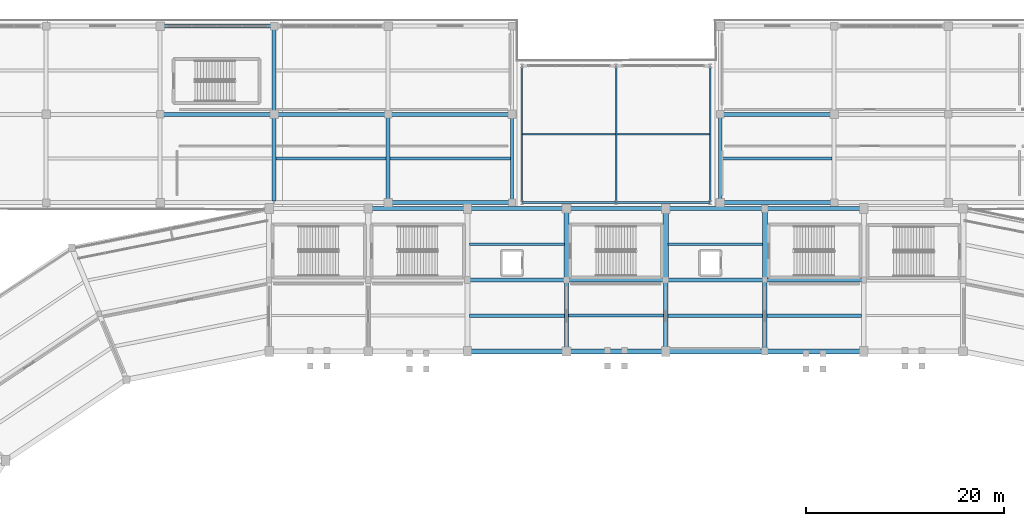
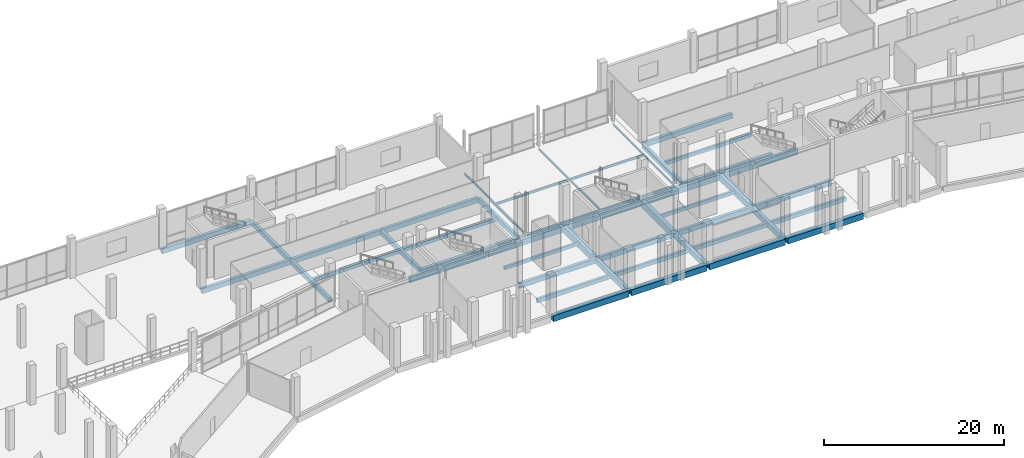
# One storey, part 52 of 114: 47 beams.
"""IFC4 building model written with IfcOpenShell, lengths in metres."""

from ifc_helpers import new_model, si_unit, direction, frame, origin, origin_2d, place, context, subcontext, project, spatial, rectangle, i_section, extrude, material, material_profile, profile_set, type_object, element, save


model = new_model("IFC4")

# Units and contexts
model_context = context("Model", 3, precision=1e-05, world=origin(), true_north=direction((0.0, 1.0)))
body_context = subcontext(model_context, "Body", "Model", "MODEL_VIEW")
ifc_project = project(units=[si_unit("LENGTHUNIT", "METRE"), si_unit("AREAUNIT", "SQUARE_METRE"), si_unit("VOLUMEUNIT", "CUBIC_METRE"), si_unit("PLANEANGLEUNIT", "RADIAN"), si_unit("MASSUNIT", "GRAM", prefix="KILO")], contexts=[model_context])

# Site, building, storey
site_placement = place(None, origin())
site = spatial("IfcSite", under=ifc_project, at=site_placement, CompositionType="ELEMENT")
building_placement = place(site_placement, origin())
building = spatial("IfcBuilding", under=site, at=building_placement, Name="Candeia Ridge Stadium", CompositionType="ELEMENT")
storey_placement = place(building_placement, frame((0.0, 0.0, 5.39990234375)))
storey = spatial("IfcBuildingStorey", under=building, at=storey_placement, Name="L01", CompositionType="ELEMENT", Elevation=5.39990234375)

# Beams
ifc_material_1 = material(Name="Concrete C45/55", Category="concrete")
ifc_material_profile_1 = material_profile(ifc_material_1, rectangle(XDim=0.449951171875, YDim=0.75, at=origin_2d()), Name="RC450x750", Category="concrete")
ifc_profile_set_1 = profile_set([ifc_material_profile_1], Name="Concrete C45/55")
beam_type_1 = type_object("IfcBeamType", Name="Bowl Radial Girder RC450x750", PredefinedType="BEAM", material=ifc_profile_set_1)
beam_1_placement = place(storey_placement, frame((121.0, 132.760009765625, -0.635009765625), z_axis=(0.0, 1.0, 0.0), x_axis=(-1.0, 0.0, 0.0)))
element("IfcBeam", 1, at=beam_1_placement, inside=storey, type_object=beam_type_1, Name="Bowl radial girder BM-L01-0005", PredefinedType="BEAM", context=body_context, shape_type="SweptSolid", body=[
    extrude(rectangle(XDim=0.449951171875, YDim=0.75, at=origin_2d()), origin(), (0.0, 0.0, 1.0), 6.8798828125),
])
ifc_material_2 = material(Name="Steel ASTM A572 Grade 50", Category="steel")
ifc_material_profile_2 = material_profile(ifc_material_2, i_section(OverallWidth=0.14794921875, OverallDepth=0.26611328125, WebThickness=0.007568359375, FlangeThickness=0.012939453125, FilletRadius=0.010986328125, at=origin_2d()), Name="W250x44.8", Category="steel")
ifc_profile_set_2 = profile_set([ifc_material_profile_2], Name="Steel ASTM A572 Grade 50")
beam_type_2 = type_object("IfcBeamType", Name="Canopy Edge Spandrel W250x44.8", PredefinedType="SPANDREL", material=ifc_profile_set_2)
for number, where, z_axis, x_axis, name in (
    (2, (96.5, 147.64990234375, -0.392822265625), (0.0, 1.0, 0.0), (-1.0, 0.0, 0.0), "Structural girder BM-L01-2035"),
    (3, (106.0, 147.64990234375, -0.392822265625), (0.0, 1.0, 0.0), (-1.0, 0.0, 0.0), "Structural girder BM-L01-2036"),
    (4, (115.5, 147.64990234375, -0.392822265625), (0.0, 1.0, 0.0), (-1.0, 0.0, 0.0), "Structural girder BM-L01-2037"),
):
    element("IfcBeam", number, at=place(storey_placement, frame(where, z_axis=z_axis, x_axis=x_axis)), inside=storey, type_object=beam_type_2, Name=name, PredefinedType="SPANDREL", context=body_context, shape_type="SweptSolid", body=[
        extrude(i_section(OverallWidth=0.14794921875, OverallDepth=0.26611328125, WebThickness=0.007568359375, FlangeThickness=0.012939453125, FilletRadius=0.010986328125, at=origin_2d()), origin(), (0.0, 0.0, 1.0), 13.7001953125),
    ])
ifc_material_3 = material(Name="Concrete C40/50", Category="concrete")
ifc_material_profile_3 = material_profile(ifc_material_3, rectangle(XDim=0.35009765625, YDim=0.550048828125, at=origin_2d()), Name="RC350x550", Category="concrete")
ifc_profile_set_3 = profile_set([ifc_material_profile_3], Name="Concrete C40/50")
beam_type_3 = type_object("IfcBeamType", Name="Concourse Concrete Joist RC350x550", PredefinedType="JOIST", material=ifc_profile_set_3)
beam_2_placement = place(storey_placement, frame((130.778076171875, 136.199951171875, -0.534912109375), z_axis=(-1.0, 0.0, 0.0), x_axis=(0.0, -1.0, 0.0)))
element("IfcBeam", 5, at=beam_2_placement, inside=storey, type_object=beam_type_3, Name="Concourse secondary joist BM-L01-0080", PredefinedType="JOIST", context=body_context, shape_type="SweptSolid", body=[
    extrude(rectangle(XDim=0.35009765625, YDim=0.550048828125, at=origin_2d()), origin(), (0.0, 0.0, 1.0), 9.55615234375),
])
ifc_material_profile_4 = material_profile(ifc_material_3, rectangle(XDim=0.27001953125, YDim=0.43994140625, at=origin_2d()), Name="RC270x440", Category="concrete")
ifc_profile_set_4 = profile_set([ifc_material_profile_4], Name="Concrete C40/50")
beam_type_4 = type_object("IfcBeamType", Name="Floor Joist RC270x440", PredefinedType="JOIST", material=ifc_profile_set_4)
beam_3_placement = place(storey_placement, frame((100.778076171875, 143.39990234375, -0.47998046875), z_axis=(-1.0, 0.0, 0.0), x_axis=(0.0, -1.0, 0.0)))
element("IfcBeam", 6, at=beam_3_placement, inside=storey, type_object=beam_type_4, Name="Concourse secondary joist BM-L01-0094", PredefinedType="JOIST", context=body_context, shape_type="SweptSolid", body=[
    extrude(rectangle(XDim=0.27001953125, YDim=0.43994140625, at=origin_2d()), origin(), (0.0, 0.0, 1.0), 9.55615234375),
])
ifc_material_profile_5 = material_profile(ifc_material_3, rectangle(XDim=0.280029296875, YDim=0.4599609375, at=origin_2d()), Name="RC280x460", Category="concrete")
ifc_profile_set_5 = profile_set([ifc_material_profile_5], Name="Concrete C40/50")
beam_type_5 = type_object("IfcBeamType", Name="Floor Joist RC280x460", PredefinedType="JOIST", material=ifc_profile_set_5)
beam_4_placement = place(storey_placement, frame((120.778076171875, 143.39990234375, -0.489990234375), z_axis=(-1.0, 0.0, 0.0), x_axis=(0.0, -1.0, 0.0)))
element("IfcBeam", 7, at=beam_4_placement, inside=storey, type_object=beam_type_5, Name="Concourse secondary joist BM-L01-0085", PredefinedType="JOIST", context=body_context, shape_type="SweptSolid", body=[
    extrude(rectangle(XDim=0.280029296875, YDim=0.4599609375, at=origin_2d()), origin(), (0.0, 0.0, 1.0), 9.55615234375),
])
ifc_material_profile_6 = material_profile(ifc_material_3, rectangle(XDim=0.300048828125, YDim=0.449951171875, at=origin_2d()), Name="RC300x450", Category="concrete")
ifc_profile_set_6 = profile_set([ifc_material_profile_6], Name="Concrete C40/50")
beam_type_6 = type_object("IfcBeamType", Name="Floor Joist RC300x450", PredefinedType="JOIST", material=ifc_profile_set_6)
beam_5_placement = place(storey_placement, frame((71.699462890625, 152.050048828125, -0.48486328125), z_axis=(1.0, 0.0, 0.0), x_axis=(0.0, 1.0, 0.0)))
element("IfcBeam", 8, at=beam_5_placement, inside=storey, type_object=beam_type_6, Name="Wing secondary joist BM-L01-1561", PredefinedType="JOIST", context=body_context, shape_type="SweptSolid", body=[
    extrude(rectangle(XDim=0.300048828125, YDim=0.449951171875, at=origin_2d()), origin(), (0.0, 0.0, 1.0), 11.10107421875),
])
beam_6_placement = place(storey_placement, frame((83.199462890625, 152.050048828125, -0.48486328125), z_axis=(1.0, 0.0, 0.0), x_axis=(0.0, 1.0, 0.0)))
element("IfcBeam", 9, at=beam_6_placement, inside=storey, type_object=beam_type_6, Name="Wing secondary joist BM-L01-1566", PredefinedType="JOIST", context=body_context, shape_type="SweptSolid", body=[
    extrude(rectangle(XDim=0.300048828125, YDim=0.449951171875, at=origin_2d()), origin(), (0.0, 0.0, 1.0), 12.1259765625),
])
beam_7_placement = place(storey_placement, frame((116.674560546875, 152.050048828125, -0.48486328125), z_axis=(1.0, 0.0, 0.0), x_axis=(0.0, 1.0, 0.0)))
element("IfcBeam", 10, at=beam_7_placement, inside=storey, type_object=beam_type_6, Name="Wing secondary joist BM-L01-1585", PredefinedType="JOIST", context=body_context, shape_type="SweptSolid", body=[
    extrude(rectangle(XDim=0.300048828125, YDim=0.449951171875, at=origin_2d()), origin(), (0.0, 0.0, 1.0), 11.1259765625),
])
ifc_material_profile_7 = material_profile(ifc_material_3, rectangle(XDim=0.320068359375, YDim=0.52001953125, at=origin_2d()), Name="RC320x520", Category="concrete")
ifc_profile_set_7 = profile_set([ifc_material_profile_7], Name="Concrete C40/50")
beam_type_7 = type_object("IfcBeamType", Name="Floor Joist RC320x520", PredefinedType="JOIST", material=ifc_profile_set_7)
beam_8_placement = place(storey_placement, frame((110.778076171875, 136.199951171875, -0.52001953125), z_axis=(-1.0, 0.0, 0.0), x_axis=(0.0, -1.0, 0.0)))
element("IfcBeam", 11, at=beam_8_placement, inside=storey, type_object=beam_type_7, Name="Concourse secondary joist BM-L01-0089", PredefinedType="JOIST", context=body_context, shape_type="SweptSolid", body=[
    extrude(rectangle(XDim=0.320068359375, YDim=0.52001953125, at=origin_2d()), origin(), (0.0, 0.0, 1.0), 9.55615234375),
])
ifc_material_profile_8 = material_profile(ifc_material_3, rectangle(XDim=0.330078125, YDim=0.530029296875, at=origin_2d()), Name="RC330x530", Category="concrete")
ifc_profile_set_8 = profile_set([ifc_material_profile_8], Name="Concrete C40/50")
beam_type_8 = type_object("IfcBeamType", Name="Floor Joist RC330x530", PredefinedType="JOIST", material=ifc_profile_set_8)
beam_9_placement = place(storey_placement, frame((100.778076171875, 136.199951171875, -0.52490234375), z_axis=(-1.0, 0.0, 0.0), x_axis=(0.0, -1.0, 0.0)))
element("IfcBeam", 12, at=beam_9_placement, inside=storey, type_object=beam_type_8, Name="Concourse secondary joist BM-L01-0093", PredefinedType="JOIST", context=body_context, shape_type="SweptSolid", body=[
    extrude(rectangle(XDim=0.330078125, YDim=0.530029296875, at=origin_2d()), origin(), (0.0, 0.0, 1.0), 9.55615234375),
])
ifc_material_profile_9 = material_profile(ifc_material_3, rectangle(XDim=0.340087890625, YDim=0.5400390625, at=origin_2d()), Name="RC340x540", Category="concrete")
ifc_profile_set_9 = profile_set([ifc_material_profile_9], Name="Concrete C40/50")
beam_type_9 = type_object("IfcBeamType", Name="Floor Joist RC340x540", PredefinedType="JOIST", material=ifc_profile_set_9)
beam_10_placement = place(storey_placement, frame((120.778076171875, 136.199951171875, -0.52978515625), z_axis=(-1.0, 0.0, 0.0), x_axis=(0.0, -1.0, 0.0)))
element("IfcBeam", 13, at=beam_10_placement, inside=storey, type_object=beam_type_9, Name="Concourse secondary joist BM-L01-0084", PredefinedType="JOIST", context=body_context, shape_type="SweptSolid", body=[
    extrude(rectangle(XDim=0.340087890625, YDim=0.5400390625, at=origin_2d()), origin(), (0.0, 0.0, 1.0), 9.55615234375),
])
ifc_material_profile_10 = material_profile(ifc_material_3, rectangle(XDim=0.39990234375, YDim=0.60009765625, at=origin_2d()), Name="RC400x600", Category="concrete")
ifc_profile_set_10 = profile_set([ifc_material_profile_10], Name="Concrete C40/50")
beam_type_10 = type_object("IfcBeamType", Name="Frame Girder RC400x600", PredefinedType="BEAM", material=ifc_profile_set_10)
for number, where, z_axis, x_axis, name in (
    (14, (71.5, 147.760009765625, -0.559814453125), (0.0, 1.0, 0.0), (-1.0, 0.0, 0.0), "Structural girder BM-L01-1536"),
    (15, (71.5, 156.659912109375, -0.559814453125), (0.0, 1.0, 0.0), (-1.0, 0.0, 0.0), "Structural girder BM-L01-1537"),
    (16, (83.0, 147.760009765625, -0.559814453125), (0.0, 1.0, 0.0), (-1.0, 0.0, 0.0), "Structural girder BM-L01-1538"),
):
    element("IfcBeam", number, at=place(storey_placement, frame(where, z_axis=z_axis, x_axis=x_axis)), inside=storey, type_object=beam_type_10, Name=name, PredefinedType="BEAM", context=body_context, shape_type="SweptSolid", body=[
        extrude(rectangle(XDim=0.39990234375, YDim=0.60009765625, at=origin_2d()), origin(), (0.0, 0.0, 1.0), 8.580078125),
    ])
ifc_material_profile_11 = material_profile(ifc_material_3, rectangle(XDim=0.429931640625, YDim=0.739990234375, at=origin_2d()), Name="RC430x740", Category="concrete")
ifc_profile_set_11 = profile_set([ifc_material_profile_11], Name="Concrete C40/50")
beam_type_11 = type_object("IfcBeamType", Name="Frame Girder RC430x740", PredefinedType="BEAM", material=ifc_profile_set_11)
beam_11_placement = place(storey_placement, frame((101.0, 132.760009765625, -0.6298828125), z_axis=(0.0, 1.0, 0.0), x_axis=(-1.0, 0.0, 0.0)))
element("IfcBeam", 17, at=beam_11_placement, inside=storey, type_object=beam_type_11, Name="Bowl radial girder BM-L01-0009", PredefinedType="BEAM", context=body_context, shape_type="SweptSolid", body=[
    extrude(rectangle(XDim=0.429931640625, YDim=0.739990234375, at=origin_2d()), origin(), (0.0, 0.0, 1.0), 6.8798828125),
])
ifc_material_profile_12 = material_profile(ifc_material_3, rectangle(XDim=0.469970703125, YDim=0.760009765625, at=origin_2d()), Name="RC470x760", Category="concrete")
ifc_profile_set_12 = profile_set([ifc_material_profile_12], Name="Concrete C40/50")
beam_type_12 = type_object("IfcBeamType", Name="Frame Girder RC470x760", PredefinedType="BEAM", material=ifc_profile_set_12)
beam_12_placement = place(storey_placement, frame((111.0, 132.760009765625, -0.639892578125), z_axis=(0.0, 1.0, 0.0), x_axis=(-1.0, 0.0, 0.0)))
element("IfcBeam", 18, at=beam_12_placement, inside=storey, type_object=beam_type_12, Name="Bowl radial girder BM-L01-0007", PredefinedType="BEAM", context=body_context, shape_type="SweptSolid", body=[
    extrude(rectangle(XDim=0.469970703125, YDim=0.760009765625, at=origin_2d()), origin(), (0.0, 0.0, 1.0), 6.8798828125),
])
ifc_material_profile_13 = material_profile(ifc_material_3, rectangle(XDim=0.5, YDim=0.800048828125, at=origin_2d()), Name="RC500x800", Category="concrete")
ifc_profile_set_13 = profile_set([ifc_material_profile_13], Name="Concrete C40/50")
beam_type_13 = type_object("IfcBeamType", Name="Frame Girder RC500x800", PredefinedType="BEAM", material=ifc_profile_set_13)
for number, where, z_axis, x_axis, name in (
    (19, (130.840087890625, 132.60009765625, -0.659912109375), (-1.0, 0.0, 0.0), (0.0, -1.0, 0.0), "Bowl inner ring girder BM-L01-0077"),
    (20, (120.840087890625, 132.60009765625, -0.659912109375), (-1.0, 0.0, 0.0), (0.0, -1.0, 0.0), "Bowl inner ring girder BM-L01-0081"),
    (21, (110.840087890625, 132.60009765625, -0.659912109375), (-1.0, 0.0, 0.0), (0.0, -1.0, 0.0), "Bowl inner ring girder BM-L01-0086"),
    (22, (100.840087890625, 132.60009765625, -0.659912109375), (-1.0, 0.0, 0.0), (0.0, -1.0, 0.0), "Bowl inner ring girder BM-L01-0090"),
):
    element("IfcBeam", number, at=place(storey_placement, frame(where, z_axis=z_axis, x_axis=x_axis)), inside=storey, type_object=beam_type_13, Name=name, PredefinedType="BEAM", context=body_context, shape_type="SweptSolid", body=[
        extrude(rectangle(XDim=0.5, YDim=0.800048828125, at=origin_2d()), origin(), (0.0, 0.0, 1.0), 9.68017578125),
    ])
ifc_material_profile_14 = material_profile(ifc_material_1, rectangle(XDim=0.5, YDim=0.85009765625, at=origin_2d()), Name="RC500x850", Category="concrete")
ifc_profile_set_14 = profile_set([ifc_material_profile_14], Name="Concrete C45/55")
beam_type_14 = type_object("IfcBeamType", Name="Frame Girder RC500x850", PredefinedType="BEAM", material=ifc_profile_set_14)
beam_13_placement = place(storey_placement, frame((121.0, 139.9599609375, -0.684814453125), z_axis=(0.0, 1.0, 0.0), x_axis=(-1.0, 0.0, 0.0)))
element("IfcBeam", 23, at=beam_13_placement, inside=storey, type_object=beam_type_14, Name="Bowl radial girder BM-L01-0006", PredefinedType="BEAM", context=body_context, shape_type="SweptSolid", body=[
    extrude(rectangle(XDim=0.5, YDim=0.85009765625, at=origin_2d()), origin(), (0.0, 0.0, 1.0), 6.880126953125),
])
ifc_material_profile_15 = material_profile(ifc_material_1, rectangle(XDim=0.52001953125, YDim=0.8798828125, at=origin_2d()), Name="RC520x880", Category="concrete")
ifc_profile_set_15 = profile_set([ifc_material_profile_15], Name="Concrete C45/55")
beam_type_15 = type_object("IfcBeamType", Name="Frame Girder RC520x880", PredefinedType="BEAM", material=ifc_profile_set_15)
beam_14_placement = place(storey_placement, frame((101.0, 139.9599609375, -0.699951171875), z_axis=(0.0, 1.0, 0.0), x_axis=(-1.0, 0.0, 0.0)))
element("IfcBeam", 24, at=beam_14_placement, inside=storey, type_object=beam_type_15, Name="Bowl radial girder BM-L01-0010", PredefinedType="BEAM", context=body_context, shape_type="SweptSolid", body=[
    extrude(rectangle(XDim=0.52001953125, YDim=0.8798828125, at=origin_2d()), origin(), (0.0, 0.0, 1.0), 6.880126953125),
])
ifc_material_profile_16 = material_profile(ifc_material_1, rectangle(XDim=0.550048828125, YDim=0.919921875, at=origin_2d()), Name="RC550x920", Category="concrete")
ifc_profile_set_16 = profile_set([ifc_material_profile_16], Name="Concrete C45/55")
beam_type_16 = type_object("IfcBeamType", Name="Frame Girder RC550x920", PredefinedType="BEAM", material=ifc_profile_set_16)
beam_15_placement = place(storey_placement, frame((111.0, 139.9599609375, -0.719970703125), z_axis=(0.0, 1.0, 0.0), x_axis=(-1.0, 0.0, 0.0)))
element("IfcBeam", 25, at=beam_15_placement, inside=storey, type_object=beam_type_16, Name="Bowl radial girder BM-L01-0008", PredefinedType="BEAM", context=body_context, shape_type="SweptSolid", body=[
    extrude(rectangle(XDim=0.550048828125, YDim=0.919921875, at=origin_2d()), origin(), (0.0, 0.0, 1.0), 6.880126953125),
])
ifc_material_profile_17 = material_profile(ifc_material_2, i_section(OverallWidth=0.208984375, OverallDepth=0.532958984375, WebThickness=0.01025390625, FlangeThickness=0.015625, FilletRadius=0.013916015625, at=origin_2d()), Name="W530x92", Category="steel")
ifc_profile_set_17 = profile_set([ifc_material_profile_17], Name="Steel ASTM A572 Grade 50")
beam_type_17 = type_object("IfcBeamType", Name="Gate Portal Girder W530x92", PredefinedType="BEAM", material=ifc_profile_set_17)
for number, where, z_axis, x_axis, name in (
    (26, (96.550048828125, 147.60009765625, -0.5263671875), (1.0, 0.0, 0.0), (0.0, 1.0, 0.0), "Structural girder BM-L01-2038"),
    (27, (106.050048828125, 147.60009765625, -0.5263671875), (1.0, 0.0, 0.0), (0.0, 1.0, 0.0), "Structural girder BM-L01-2041"),
):
    element("IfcBeam", number, at=place(storey_placement, frame(where, z_axis=z_axis, x_axis=x_axis)), inside=storey, type_object=beam_type_17, Name=name, PredefinedType="BEAM", context=body_context, shape_type="SweptSolid", body=[
        extrude(i_section(OverallWidth=0.208984375, OverallDepth=0.532958984375, WebThickness=0.01025390625, FlangeThickness=0.015625, FilletRadius=0.013916015625, at=origin_2d()), origin(), (0.0, 0.0, 1.0), 9.39990234375),
    ])
ifc_material_profile_18 = material_profile(ifc_material_2, i_section(OverallWidth=0.1669921875, OverallDepth=0.31689453125, WebThickness=0.007568359375, FlangeThickness=0.01318359375, FilletRadius=0.011962890625, at=origin_2d()), Name="W310x52", Category="steel")
ifc_profile_set_18 = profile_set([ifc_material_profile_18], Name="Steel ASTM A572 Grade 50")
beam_type_18 = type_object("IfcBeamType", Name="Pavilion Secondary Joist W310x52", PredefinedType="JOIST", material=ifc_profile_set_18)
for number, where, z_axis, x_axis, name in (
    (28, (96.573486328125, 154.5, -0.41845703125), (1.0, 0.0, 0.0), (0.0, 1.0, 0.0), "Wing secondary joist BM-L01-2039"),
    (29, (106.073486328125, 154.5, -0.41845703125), (1.0, 0.0, 0.0), (0.0, 1.0, 0.0), "Wing secondary joist BM-L01-2042"),
):
    element("IfcBeam", number, at=place(storey_placement, frame(where, z_axis=z_axis, x_axis=x_axis)), inside=storey, type_object=beam_type_18, Name=name, PredefinedType="JOIST", context=body_context, shape_type="SweptSolid", body=[
        extrude(i_section(OverallWidth=0.1669921875, OverallDepth=0.31689453125, WebThickness=0.007568359375, FlangeThickness=0.01318359375, FilletRadius=0.011962890625, at=origin_2d()), origin(), (0.0, 0.0, 1.0), 9.35302734375),
    ])
ifc_material_profile_19 = material_profile(ifc_material_3, rectangle(XDim=0.35009765625, YDim=0.64990234375, at=origin_2d()), Name="RC350x650", Category="concrete")
ifc_profile_set_19 = profile_set([ifc_material_profile_19], Name="Concrete C40/50")
beam_type_19 = type_object("IfcBeamType", Name="Spandrel Beam RC350x650", PredefinedType="SPANDREL", material=ifc_profile_set_19)
for number, where, z_axis, x_axis, name in (
    (30, (95.5, 147.760009765625, -0.5849609375), (0.0, 1.0, 0.0), (-1.0, 0.0, 0.0), "Structural girder BM-L01-1540"),
    (31, (116.5, 147.760009765625, -0.5849609375), (0.0, 1.0, 0.0), (-1.0, 0.0, 0.0), "Structural girder BM-L01-1570"),
):
    element("IfcBeam", number, at=place(storey_placement, frame(where, z_axis=z_axis, x_axis=x_axis)), inside=storey, type_object=beam_type_19, Name=name, PredefinedType="SPANDREL", context=body_context, shape_type="SweptSolid", body=[
        extrude(rectangle(XDim=0.35009765625, YDim=0.64990234375, at=origin_2d()), origin(), (0.0, 0.0, 1.0), 8.580078125),
    ])
ifc_material_profile_20 = material_profile(ifc_material_1, rectangle(XDim=0.3798828125, YDim=0.780029296875, at=origin_2d()), Name="RC380x780", Category="concrete")
ifc_profile_set_20 = profile_set([ifc_material_profile_20], Name="Concrete C45/55")
beam_type_20 = type_object("IfcBeamType", Name="Spandrel Beam RC380x780", PredefinedType="SPANDREL", material=ifc_profile_set_20)
for number, where, z_axis, x_axis, name in (
    (32, (130.840087890625, 147.0, -0.64990234375), (-1.0, 0.0, 0.0), (0.0, -1.0, 0.0), "Bowl perimeter spandrel BM-L01-0079"),
    (33, (120.840087890625, 147.0, -0.64990234375), (-1.0, 0.0, 0.0), (0.0, -1.0, 0.0), "Bowl perimeter spandrel BM-L01-0083"),
    (34, (110.840087890625, 147.0, -0.64990234375), (-1.0, 0.0, 0.0), (0.0, -1.0, 0.0), "Bowl perimeter spandrel BM-L01-0088"),
    (35, (100.840087890625, 147.0, -0.64990234375), (-1.0, 0.0, 0.0), (0.0, -1.0, 0.0), "Bowl perimeter spandrel BM-L01-0092"),
    (36, (90.840087890625, 147.0, -0.64990234375), (-1.0, 0.0, 0.0), (0.0, -1.0, 0.0), "Bowl perimeter spandrel BM-L01-0097"),
):
    element("IfcBeam", number, at=place(storey_placement, frame(where, z_axis=z_axis, x_axis=x_axis)), inside=storey, type_object=beam_type_20, Name=name, PredefinedType="SPANDREL", context=body_context, shape_type="SweptSolid", body=[
        extrude(rectangle(XDim=0.3798828125, YDim=0.780029296875, at=origin_2d()), origin(), (0.0, 0.0, 1.0), 9.68017578125),
    ])
ifc_material_profile_21 = material_profile(ifc_material_3, rectangle(XDim=0.39990234375, YDim=0.64990234375, at=origin_2d()), Name="RC400x650", Category="concrete")
ifc_profile_set_21 = profile_set([ifc_material_profile_21], Name="Concrete C40/50")
beam_type_21 = type_object("IfcBeamType", Name="Wing Primary Girder RC400x650", PredefinedType="BEAM", material=ifc_profile_set_21)
for number, where, z_axis, x_axis, name in (
    (37, (130.949951171875, 139.800048828125, -0.5849609375), (-1.0, 0.0, 0.0), (0.0, -1.0, 0.0), "Concourse spine girder BM-L01-0078"),
    (38, (120.949951171875, 139.800048828125, -0.5849609375), (-1.0, 0.0, 0.0), (0.0, -1.0, 0.0), "Concourse spine girder BM-L01-0082"),
    (39, (110.949951171875, 139.800048828125, -0.5849609375), (-1.0, 0.0, 0.0), (0.0, -1.0, 0.0), "Concourse spine girder BM-L01-0087"),
    (40, (100.949951171875, 139.800048828125, -0.5849609375), (-1.0, 0.0, 0.0), (0.0, -1.0, 0.0), "Concourse spine girder BM-L01-0091"),
):
    element("IfcBeam", number, at=place(storey_placement, frame(where, z_axis=z_axis, x_axis=x_axis)), inside=storey, type_object=beam_type_21, Name=name, PredefinedType="BEAM", context=body_context, shape_type="SweptSolid", body=[
        extrude(rectangle(XDim=0.39990234375, YDim=0.64990234375, at=origin_2d()), origin(), (0.0, 0.0, 1.0), 9.89990234375),
    ])
for number, where, z_axis, x_axis, name in (
    (41, (60.050048828125, 156.5, -0.5849609375), (1.0, 0.0, 0.0), (0.0, 1.0, 0.0), "Structural girder BM-L01-1558"),
    (42, (60.050048828125, 165.39990234375, -0.5849609375), (1.0, 0.0, 0.0), (0.0, 1.0, 0.0), "Structural girder BM-L01-1559"),
    (43, (71.550048828125, 156.5, -0.5849609375), (1.0, 0.0, 0.0), (0.0, 1.0, 0.0), "Structural girder BM-L01-1562"),
):
    element("IfcBeam", number, at=place(storey_placement, frame(where, z_axis=z_axis, x_axis=x_axis)), inside=storey, type_object=beam_type_21, Name=name, PredefinedType="BEAM", context=body_context, shape_type="SweptSolid", body=[
        extrude(rectangle(XDim=0.39990234375, YDim=0.64990234375, at=origin_2d()), origin(), (0.0, 0.0, 1.0), 11.39990234375),
    ])
for number, where, z_axis, x_axis, name in (
    (44, (83.050048828125, 147.60009765625, -0.5849609375), (1.0, 0.0, 0.0), (0.0, 1.0, 0.0), "Structural girder BM-L01-1565"),
    (45, (83.050048828125, 156.5, -0.5849609375), (1.0, 0.0, 0.0), (0.0, 1.0, 0.0), "Structural girder BM-L01-1567"),
):
    element("IfcBeam", number, at=place(storey_placement, frame(where, z_axis=z_axis, x_axis=x_axis)), inside=storey, type_object=beam_type_21, Name=name, PredefinedType="BEAM", context=body_context, shape_type="SweptSolid", body=[
        extrude(rectangle(XDim=0.39990234375, YDim=0.64990234375, at=origin_2d()), origin(), (0.0, 0.0, 1.0), 12.39990234375),
    ])
for number, where, z_axis, x_axis, name in (
    (46, (116.550048828125, 147.60009765625, -0.5849609375), (1.0, 0.0, 0.0), (0.0, 1.0, 0.0), "Structural girder BM-L01-1584"),
    (47, (116.550048828125, 156.5, -0.5849609375), (1.0, 0.0, 0.0), (0.0, 1.0, 0.0), "Structural girder BM-L01-1586"),
):
    element("IfcBeam", number, at=place(storey_placement, frame(where, z_axis=z_axis, x_axis=x_axis)), inside=storey, type_object=beam_type_21, Name=name, PredefinedType="BEAM", context=body_context, shape_type="SweptSolid", body=[
        extrude(rectangle(XDim=0.39990234375, YDim=0.64990234375, at=origin_2d()), origin(), (0.0, 0.0, 1.0), 11.39990234375),
    ])

save(model, "model.ifc")
